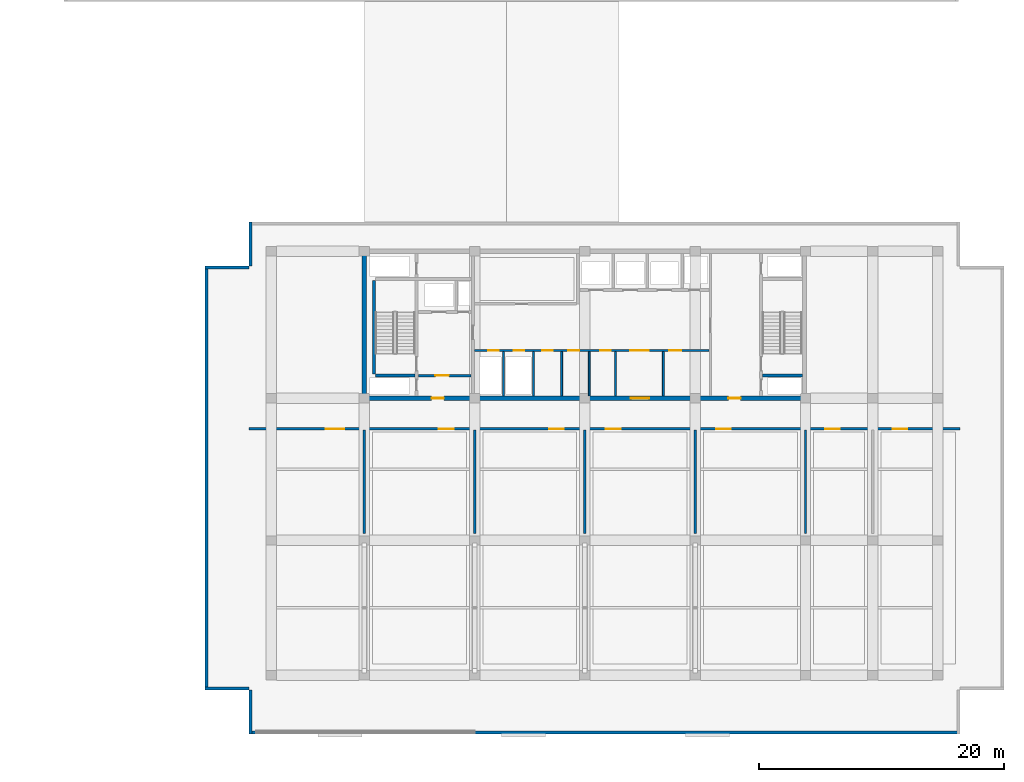
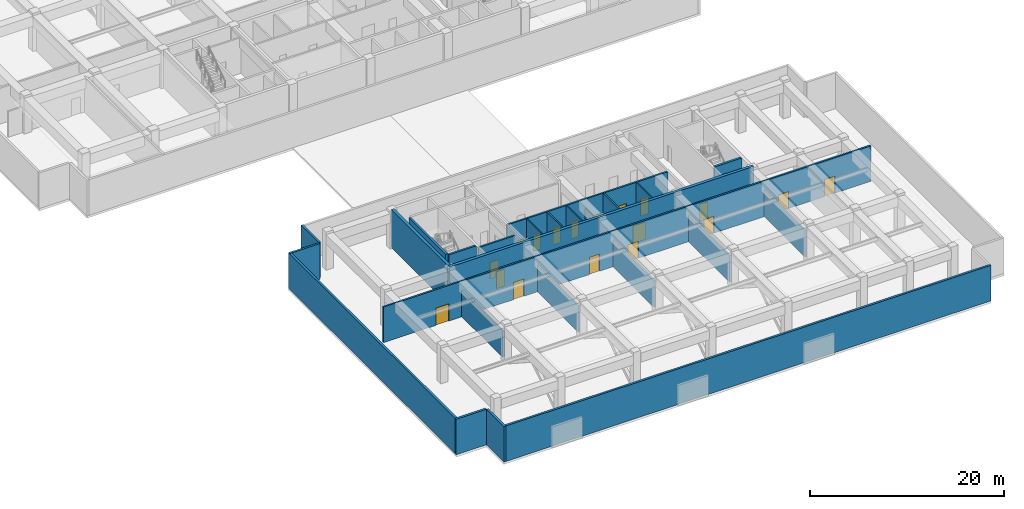
# One storey, part 7 of 22: 25 walls, 18 doors, 18 openings.
"""IFC4 building model written with IfcOpenShell, lengths in metres."""

import ifcopenshell
import ifcopenshell.guid

model = None  # the IFC model being written
_history = None  # IfcOwnerHistory: only IFC2X3 demands one
_inside = {}  # id of a spatial element -> (the spatial element, [elements in it])
_under = {}  # id of a project, library or spatial element -> (it, [spatial elements below it])
_declared = {}  # id of a project -> (the project, [libraries it declares])
_typed = {}  # id of a type object -> (the type object, [elements of that type])
_made_of = {}  # id of a material, layer set ... -> (it, [elements and type objects made of it])


def new_model(schema):
    """Start an empty IFC model of exactly this schema.

    Asked for "IFC4X3", IfcOpenShell would pick the latest addendum, in which some entities
    have other attributes; the version numbers below select the first issue.
    IFC2X3 requires an IfcOwnerHistory on every rooted entity: one is made here for all.
    """
    global model, _history
    if schema == "IFC4X3":
        model = ifcopenshell.file(schema_version=(4, 3, 0, 0))
    else:
        model = ifcopenshell.file(schema=schema)
    _inside.clear()
    _under.clear()
    _declared.clear()
    _typed.clear()
    _made_of.clear()
    _history = None
    if model.schema == "IFC2X3":
        org = make("IfcOrganization", Name="unknown")
        user = make(
            "IfcPersonAndOrganization",
            ThePerson=make("IfcPerson", FamilyName="unknown"),
            TheOrganization=org,
        )
        app = make(
            "IfcApplication",
            ApplicationDeveloper=org,
            Version="unknown",
            ApplicationFullName="unknown",
            ApplicationIdentifier="unknown",
        )
        _history = make(
            "IfcOwnerHistory",
            OwningUser=user,
            OwningApplication=app,
            ChangeAction="ADDED",
            CreationDate=0,
        )
    return model


def make(cls, **values):
    """One entity of the class cls with the attributes given. An attribute that is None is left unset."""
    return model.create_entity(
        cls, **{name: value for name, value in values.items() if value is not None}
    )


def rooted(cls, **values):
    """An entity with a GlobalId (a new one), such as an element, a storey or a relation."""
    return make(cls, GlobalId=ifcopenshell.guid.new(), OwnerHistory=_history, **values)


def si_unit(unit_type, name, prefix=None):
    """IfcSIUnit, for example si_unit("LENGTHUNIT", "METRE", prefix="MILLI")."""
    return make("IfcSIUnit", UnitType=unit_type, Prefix=prefix, Name=name)


def assignment(units):
    """IfcUnitAssignment: the units of a project."""
    return None if units is None else make("IfcUnitAssignment", Units=units)


def point(xyz):
    """IfcCartesianPoint."""
    return None if xyz is None else make("IfcCartesianPoint", Coordinates=xyz)


def direction(xyz):
    """IfcDirection."""
    return None if xyz is None else make("IfcDirection", DirectionRatios=xyz)


def frame(location, z_axis=None, x_axis=None):
    """IfcAxis2Placement3D, a coordinate frame: its origin and axes. An axis left out is left unset."""
    return make(
        "IfcAxis2Placement3D",
        Location=point(location),
        Axis=direction(z_axis),
        RefDirection=direction(x_axis),
    )


def frame_2d(location, x_axis=None):
    """IfcAxis2Placement2D, a coordinate frame in the plane: its origin and x axis."""
    return make(
        "IfcAxis2Placement2D", Location=point(location), RefDirection=direction(x_axis)
    )


def origin():
    """The frame at (0, 0, 0) with its axes left unset."""
    return frame((0.0, 0.0, 0.0))


def place(relative_to, where):
    """IfcLocalPlacement: puts the frame where relative to a parent placement (None: the world)."""
    return make(
        "IfcLocalPlacement", PlacementRelTo=relative_to, RelativePlacement=where
    )


def context(
    kind, dimensions, precision=None, world=None, true_north=None, identifier=None
):
    """IfcGeometricRepresentationContext, for example the 3D "Model" context."""
    return make(
        "IfcGeometricRepresentationContext",
        ContextIdentifier=identifier,
        ContextType=kind,
        CoordinateSpaceDimension=dimensions,
        Precision=precision,
        WorldCoordinateSystem=world,
        TrueNorth=true_north,
    )


def subcontext(parent, identifier, kind, view, scale=None):
    """IfcGeometricRepresentationSubContext, for example "Body" below "Model"."""
    return make(
        "IfcGeometricRepresentationSubContext",
        ContextIdentifier=identifier,
        ContextType=kind,
        ParentContext=parent,
        TargetScale=scale,
        TargetView=view,
    )


def project(units=None, contexts=None):
    """IfcProject with its units and contexts."""
    return rooted(
        "IfcProject",
        Name="project",
        RepresentationContexts=contexts,
        UnitsInContext=assignment(units),
    )


def spatial(cls, under=None, at=None, **own):
    """A site, building, storey or space (cls), placed at a placement, below another one or the project."""
    s = rooted(cls, ObjectPlacement=at, **own)
    if under is not None:
        _under.setdefault(under.id(), (under, []))[1].append(s)
    return s


def profile(cls, at=None, kind="AREA", **sizes):
    """A parametric profile (cls). Its sizes go by their IFC names, for example OverallWidth=200.0."""
    return make(cls, ProfileType=kind, Position=at, **sizes)


def rectangle(**sizes):
    """IfcRectangleProfileDef."""
    return profile("IfcRectangleProfileDef", **sizes)


def extrude(swept, where, along, depth):
    """IfcExtrudedAreaSolid: the profile swept, set in the frame where, extruded along a direction by depth."""
    return make(
        "IfcExtrudedAreaSolid",
        SweptArea=swept,
        Position=where,
        ExtrudedDirection=direction(along),
        Depth=depth,
    )


def shape(context_of_items, identifier, shape_type, items):
    """IfcShapeRepresentation: the items that make up one representation, for example the "Body"."""
    return make(
        "IfcShapeRepresentation",
        ContextOfItems=context_of_items,
        RepresentationIdentifier=identifier,
        RepresentationType=shape_type,
        Items=items,
    )


def material(Name=None, Category=None):
    """IfcMaterial."""
    return make("IfcMaterial", Name=Name, Category=Category)


def layer(
    of_material, thickness, ventilated=None, Name=None, Category=None, Priority=None
):
    """IfcMaterialLayer: one layer of a wall or slab, of a material (None: an air gap)."""
    return make(
        "IfcMaterialLayer",
        Material=of_material,
        LayerThickness=thickness,
        IsVentilated=ventilated,
        Name=Name,
        Category=Category,
        Priority=Priority,
    )


def layer_set(layers, Name=None):
    """IfcMaterialLayerSet."""
    return make("IfcMaterialLayerSet", MaterialLayers=layers, LayerSetName=Name)


def made_of(thing, what):
    """Note that an element or type object is made of a material, layer set ...; save() writes the relation."""
    if what is not None:
        _made_of.setdefault(what.id(), (what, []))[1].append(thing)
    return thing


def type_object(cls, material=None, **own):
    """A type object (cls), such as IfcWallType, which elements share."""
    return made_of(rooted(cls, **own), material)


def element(
    cls,
    number,
    at=None,
    inside=None,
    cuts=None,
    type_object=None,
    material=None,
    context=None,
    identifier="Body",
    shape_type=None,
    held_by="IfcProductDefinitionShape",
    body=None,
    shapes=None,
    **own,
):
    """One element of the class cls, such as IfcWall. Its Tag is "e" and its number.

    at: its placement. inside: the storey or other place that contains it. cuts: it is an
    opening in that element (IfcRelVoidsElement). A single representation is given by context,
    identifier, shape_type and body (its items); several are given by shapes. held_by: the class
    of the entity that holds the representations. save() writes the other relations.
    """
    e = rooted(cls, Tag="e%d" % number, ObjectPlacement=at, **own)
    if body is not None:
        shapes = [shape(context, identifier, shape_type, body)]
    if shapes is not None:
        e.Representation = make(held_by, Representations=shapes)
    if inside is not None:
        _inside.setdefault(inside.id(), (inside, []))[1].append(e)
    if cuts is not None:
        rooted(
            "IfcRelVoidsElement", RelatingBuildingElement=cuts, RelatedOpeningElement=e
        )
    if type_object is not None:
        _typed.setdefault(type_object.id(), (type_object, []))[1].append(e)
    return made_of(e, material)


def fill(opening, filler):
    """IfcRelFillsElement: the door or window that sits in an opening."""
    return rooted(
        "IfcRelFillsElement",
        RelatingOpeningElement=opening,
        RelatedBuildingElement=filler,
    )


def aggregate(whole, parts):
    """IfcRelAggregates: a whole, such as a stair, and the parts it consists of."""
    return rooted("IfcRelAggregates", RelatingObject=whole, RelatedObjects=parts)


def save(model, path):
    """Write the relations noted so far, then the file.

    IfcRelAggregates (storeys below a building ...), IfcRelContainedInSpatialStructure (elements
    in a storey), IfcRelDefinesByType, IfcRelAssociatesMaterial and IfcRelDeclares: one each for
    every whole, place, type object, material and project.
    """
    for whole, parts in _under.values():
        aggregate(whole, parts)
    for where, things in _inside.values():
        rooted(
            "IfcRelContainedInSpatialStructure",
            RelatedElements=things,
            RelatingStructure=where,
        )
    for kind, things in _typed.values():
        rooted("IfcRelDefinesByType", RelatedObjects=things, RelatingType=kind)
    for what, things in _made_of.values():
        rooted("IfcRelAssociatesMaterial", RelatedObjects=things, RelatingMaterial=what)
    for by, libraries in _declared.values():
        rooted("IfcRelDeclares", RelatingContext=by, RelatedDefinitions=libraries)
    model.write(path)


model = new_model("IFC4")

# Units and contexts
model_context = context("Model", 3, precision=1e-05, world=origin(), true_north=direction((0.0, 1.0)))
body_context = subcontext(model_context, "Body", "Model", "MODEL_VIEW")
ifc_project = project(units=[si_unit("LENGTHUNIT", "METRE"), si_unit("AREAUNIT", "SQUARE_METRE"), si_unit("VOLUMEUNIT", "CUBIC_METRE"), si_unit("PLANEANGLEUNIT", "RADIAN"), si_unit("MASSUNIT", "GRAM", prefix="KILO")], contexts=[model_context])

# Site, building, storey
site_placement = place(None, origin())
site = spatial("IfcSite", under=ifc_project, at=site_placement, CompositionType="ELEMENT")
building_placement = place(site_placement, origin())
building = spatial("IfcBuilding", under=site, at=building_placement, Name="Korimba Cascade Residences", CompositionType="ELEMENT")
storey_placement = place(building_placement, frame((0.0, 0.0, 157.300048828125)))
storey = spatial("IfcBuildingStorey", under=building, at=storey_placement, Name="L45", CompositionType="ELEMENT", Elevation=157.300048828125)

# Walls
ifc_material_1 = material(Name="Precast concrete C40/50", Category="concrete")
ifc_layer_1 = layer(ifc_material_1, 0.25)
ifc_layer_set_1 = layer_set([ifc_layer_1], Name="Precast concrete C40/50")
wall_type_1 = type_object("IfcWallType", Name="EW-PLNT-250", PredefinedType="SHEAR", material=ifc_layer_set_1)
wall_1_placement = place(storey_placement, frame((72.699951171875, -8.875, 0.0), z_axis=(0.0, 0.0, 1.0), x_axis=(1.0, 0.0, 0.0)))
element("IfcWall", 1, at=wall_1_placement, inside=storey, type_object=wall_type_1, Name="L45 T2 Perimeter Stone Wall E00", PredefinedType="SHEAR", context=body_context, shape_type="SweptSolid", body=[
    extrude(rectangle(XDim=58.0, YDim=0.25, at=frame_2d((29.0, 0.0))), origin(), (0.0, 0.0, 1.0), 4.47998046875),
])
wall_2_placement = place(storey_placement, frame((72.824951171875, 32.800048828125, 0.0), z_axis=(0.0, 0.0, 1.0), x_axis=(0.0, -1.0, 0.0)))
element("IfcWall", 2, at=wall_2_placement, inside=storey, type_object=wall_type_1, Name="L45 T2 Perimeter Stone Wall E07", PredefinedType="SHEAR", context=body_context, shape_type="SweptSolid", body=[
    extrude(rectangle(XDim=3.60009765625, YDim=0.25, at=frame_2d((1.800048828125, 0.0))), origin(), (0.0, 0.0, 1.0), 4.47998046875),
])
wall_3_placement = place(storey_placement, frame((72.699951171875, 29.074951171875, 0.0), z_axis=(0.0, 0.0, 1.0), x_axis=(-1.0, 0.0, 0.0)))
element("IfcWall", 3, at=wall_3_placement, inside=storey, type_object=wall_type_1, Name="L45 T2 Perimeter Stone Wall E08", PredefinedType="SHEAR", context=body_context, shape_type="SweptSolid", body=[
    extrude(rectangle(XDim=3.599853515625, YDim=0.25, at=frame_2d((1.7998046875, 0.0))), origin(), (0.0, 0.0, 1.0), 4.47998046875),
])
wall_4_placement = place(storey_placement, frame((69.22509765625, 29.199951171875, 0.0), z_axis=(0.0, 0.0, 1.0), x_axis=(0.0, -1.0, 0.0)))
element("IfcWall", 4, at=wall_4_placement, inside=storey, type_object=wall_type_1, Name="L45 T2 Perimeter Stone Wall E09", PredefinedType="SHEAR", context=body_context, shape_type="SweptSolid", body=[
    extrude(rectangle(XDim=34.599853515625, YDim=0.25, at=frame_2d((17.2998046875, 0.0))), origin(), (0.0, 0.0, 1.0), 4.47998046875),
])
wall_5_placement = place(storey_placement, frame((69.10009765625, -5.27490234375, 0.0), z_axis=(0.0, 0.0, 1.0), x_axis=(1.0, 0.0, 0.0)))
element("IfcWall", 5, at=wall_5_placement, inside=storey, type_object=wall_type_1, Name="L45 T2 Perimeter Stone Wall E10", PredefinedType="SHEAR", context=body_context, shape_type="SweptSolid", body=[
    extrude(rectangle(XDim=3.599853515625, YDim=0.25, at=frame_2d((1.7998046875, 0.0))), origin(), (0.0, 0.0, 1.0), 4.47998046875),
])
wall_6_placement = place(storey_placement, frame((72.824951171875, -5.39990234375, 0.0), z_axis=(0.0, 0.0, 1.0), x_axis=(0.0, -1.0, 0.0)))
element("IfcWall", 6, at=wall_6_placement, inside=storey, type_object=wall_type_1, Name="L45 T2 Perimeter Stone Wall E11", PredefinedType="SHEAR", context=body_context, shape_type="SweptSolid", body=[
    extrude(rectangle(XDim=3.60009765625, YDim=0.25, at=frame_2d((1.800048828125, 0.0))), origin(), (0.0, 0.0, 1.0), 4.47998046875),
])
ifc_material_2 = material(Name="Concrete C65/80", Category="concrete")
ifc_layer_2 = layer(ifc_material_2, 0.35009765625)
ifc_layer_set_2 = layer_set([ifc_layer_2], Name="Concrete C65/80")
wall_type_2 = type_object("IfcWallType", Name="WAL-CORE-350", PredefinedType="SHEAR", material=ifc_layer_set_2)
wall_7_placement = place(storey_placement, frame((82.10009765625, 18.574951171875, 0.0), z_axis=(0.0, 0.0, 1.0), x_axis=(0.0, 1.0, 0.0)))
element("IfcWall", 7, at=wall_7_placement, inside=storey, type_object=wall_type_2, Name="L45 Core Shear Wall CW-L45-T2-W", PredefinedType="SHEAR", context=body_context, shape_type="SweptSolid", body=[
    extrude(rectangle(XDim=11.650146484375, YDim=0.35009765625, at=frame_2d((5.8251953125, 0.0))), origin(), (0.0, 0.0, 1.0), 4.800048828125),
])

# Wall, openings, doors
wall_8_placement = place(storey_placement, frame((81.925048828125, 18.39990234375, 0.0), z_axis=(0.0, 0.0, 1.0), x_axis=(1.0, 0.0, 0.0)))
wall_8 = element("IfcWall", 8, at=wall_8_placement, inside=storey, type_object=wall_type_2, Name="L45 Core Shear Wall CW-L45-T2-S", PredefinedType="SHEAR", context=body_context, shape_type="SweptSolid", body=[
    extrude(rectangle(XDim=36.264892578125, YDim=0.35009765625, at=frame_2d((18.13232421875, 0.0))), origin(), (0.0, 0.0, 1.0), 4.800048828125),
])
opening_1_placement = place(wall_8_placement, frame((5.675048828125, 0.0, 0.0)))
opening_1 = element("IfcOpeningElement", 9, at=opening_1_placement, cuts=wall_8, Name="Opening D-FD5", PredefinedType="OPENING", context=body_context, shape_type="SweptSolid", body=[
    extrude(rectangle(XDim=1.0, YDim=2.14990234375, at=frame_2d((0.5, 1.074951171875))), frame((0.0, 0.18505859375, 0.0), z_axis=(0.0, -1.0, 0.0), x_axis=(1.0, 0.0, 0.0)), (0.0, 0.0, 1.0), 0.3701171875),
])
opening_2_placement = place(wall_8_placement, frame((21.925048828125, 0.0, 0.0)))
opening_2 = element("IfcOpeningElement", 10, at=opening_2_placement, cuts=wall_8, Name="Opening D-FD8", PredefinedType="OPENING", context=body_context, shape_type="SweptSolid", body=[
    extrude(rectangle(XDim=1.5, YDim=2.199951171875, at=frame_2d((0.75, 1.10009765625))), frame((0.0, 0.18505859375, 0.0), z_axis=(0.0, -1.0, 0.0), x_axis=(1.0, 0.0, 0.0)), (0.0, 0.0, 1.0), 0.3701171875),
])
opening_3_placement = place(wall_8_placement, frame((29.875, 0.0, 0.0)))
opening_3 = element("IfcOpeningElement", 11, at=opening_3_placement, cuts=wall_8, Name="Opening D-FD5", PredefinedType="OPENING", context=body_context, shape_type="SweptSolid", body=[
    extrude(rectangle(XDim=1.0, YDim=2.14990234375, at=frame_2d((0.5, 1.074951171875))), frame((0.0, 0.18505859375, 0.0), z_axis=(0.0, -1.0, 0.0), x_axis=(1.0, 0.0, 0.0)), (0.0, 0.0, 1.0), 0.3701171875),
])
ifc_material_3 = material(Name="Fire-Rated Acoustic Timber Vestibule Door", Category="wood")
door_type_1 = type_object("IfcDoorType", Name="DR-FD90-1000", OperationType="NOTDEFINED", PredefinedType="DOOR", material=ifc_material_3)
door_1_placement = place(opening_1_placement, origin())
door_1 = element("IfcDoor", 12, at=door_1_placement, inside=storey, type_object=door_type_1, Name="L45 T2 West Core Vestibule Fire Door", OperationType="SINGLE_SWING_LEFT", OverallHeight=2.14990234375, OverallWidth=1.0, PredefinedType="DOOR", context=body_context, shape_type="SweptSolid", body=[
    extrude(rectangle(XDim=1.0, YDim=2.14990234375, at=frame_2d((0.5, 1.074951171875))), frame((0.0, 0.02490234375, 0.0), z_axis=(0.0, -1.0, 0.0), x_axis=(1.0, 0.0, 0.0)), (0.0, 0.0, 1.0), 0.050048828125),
])
fill(opening_1, door_1)
door_2_placement = place(opening_3_placement, origin())
door_2 = element("IfcDoor", 13, at=door_2_placement, inside=storey, type_object=door_type_1, Name="L45 T2 East Stair Vestibule Fire Door", OperationType="SINGLE_SWING_RIGHT", OverallHeight=2.14990234375, OverallWidth=1.0, PredefinedType="DOOR", context=body_context, shape_type="SweptSolid", body=[
    extrude(rectangle(XDim=1.0, YDim=2.14990234375, at=frame_2d((0.5, 1.074951171875))), frame((0.0, 0.02490234375, 0.0), z_axis=(0.0, -1.0, 0.0), x_axis=(1.0, 0.0, 0.0)), (0.0, 0.0, 1.0), 0.050048828125),
])
fill(opening_3, door_2)
ifc_material_4 = material(Name="Fire-Rated Glazed Lift Lobby Double Door", Category="glass")
door_type_2 = type_object("IfcDoorType", Name="DR-FD90-1500", OperationType="NOTDEFINED", PredefinedType="DOOR", material=ifc_material_4)
door_3_placement = place(opening_2_placement, origin())
door_3 = element("IfcDoor", 14, at=door_3_placement, inside=storey, type_object=door_type_2, Name="L45 T2 Lift Lobby Fire Door", OperationType="DOUBLE_DOOR_SINGLE_SWING", OverallHeight=2.199951171875, OverallWidth=1.5, PredefinedType="DOOR", context=body_context, shape_type="SweptSolid", body=[
    extrude(rectangle(XDim=1.5, YDim=2.199951171875, at=frame_2d((0.75, 1.10009765625))), frame((0.0, 0.02490234375, 0.0), z_axis=(0.0, -1.0, 0.0), x_axis=(1.0, 0.0, 0.0)), (0.0, 0.0, 1.0), 0.050048828125),
])
fill(opening_2, door_3)

# Walls
ifc_material_5 = material(Name="Insulated Acoustic Stud Partition", Category="gypsum")
ifc_layer_3 = layer(ifc_material_5, 0.14990234375)
ifc_layer_set_3 = layer_set([ifc_layer_3], Name="Insulated Acoustic Stud Partition")
wall_type_3 = type_object("IfcWallType", Name="WAL-PART-150", PredefinedType="PARTITIONING", material=ifc_layer_set_3)
for number, where, z_axis, x_axis, name in (
    (15, (93.449951171875, 18.60009765625, 0.0), (0.0, 0.0, 1.0), (0.0, 1.0, 0.0), "L45 Partition Wall CW-L45-T2-ERDIV"),
    (16, (95.89990234375, 18.60009765625, 0.0), (0.0, 0.0, 1.0), (0.0, 1.0, 0.0), "L45 Partition Wall CW-L45-T2-PRDIV"),
    (17, (98.199951171875, 18.60009765625, 0.0), (0.0, 0.0, 1.0), (0.0, 1.0, 0.0), "L45 Partition Wall CW-L45-T2-CA1W1"),
):
    element("IfcWall", number, at=place(storey_placement, frame(where, z_axis=z_axis, x_axis=x_axis)), inside=storey, type_object=wall_type_3, Name=name, PredefinedType="PARTITIONING", context=body_context, shape_type="SweptSolid", body=[
        extrude(rectangle(XDim=3.599853515625, YDim=0.14990234375, at=frame_2d((1.7998046875, 0.0))), origin(), (0.0, 0.0, 1.0), 4.47998046875),
    ])
wall_9_placement = place(storey_placement, frame((100.449951171875, 18.60009765625, 0.0), z_axis=(0.0, 0.0, 1.0), x_axis=(0.0, 1.0, 0.0)))
element("IfcWall", 18, at=wall_9_placement, inside=storey, type_object=wall_type_3, Name="L45 Partition Wall CW-L45-T2-CA1W2", PredefinedType="PARTITIONING", context=body_context, shape_type="SweptSolid", body=[
    extrude(rectangle(XDim=3.599853515625, YDim=0.14990234375, at=frame_2d((1.7998046875, 0.0))), origin(), (0.0, 0.0, 1.0), 3.329833984375),
])
for number, where, z_axis, x_axis, name in (
    (19, (102.60009765625, 18.60009765625, 0.0), (0.0, 0.0, 1.0), (0.0, 1.0, 0.0), "L45 Partition Wall CW-L45-T2-THW"),
    (20, (106.5, 18.60009765625, 0.0), (0.0, 0.0, 1.0), (0.0, 1.0, 0.0), "L45 Partition Wall CW-L45-T2-THE"),
):
    element("IfcWall", number, at=place(storey_placement, frame(where, z_axis=z_axis, x_axis=x_axis)), inside=storey, type_object=wall_type_3, Name=name, PredefinedType="PARTITIONING", context=body_context, shape_type="SweptSolid", body=[
        extrude(rectangle(XDim=3.599853515625, YDim=0.14990234375, at=frame_2d((1.7998046875, 0.0))), origin(), (0.0, 0.0, 1.0), 4.47998046875),
    ])

# Wall, opening, door
ifc_material_6 = material(Name="Concrete C40/50", Category="concrete")
ifc_layer_4 = layer(ifc_material_6, 0.199951171875)
ifc_layer_set_4 = layer_set([ifc_layer_4], Name="Concrete C40/50")
wall_type_4 = type_object("IfcWallType", Name="WAL-PART-200", PredefinedType="PARTITIONING", material=ifc_layer_set_4)
wall_10_placement = place(storey_placement, frame((86.5, 20.25, 0.0), z_axis=(0.0, 0.0, 1.0), x_axis=(1.0, 0.0, 0.0)))
wall_10 = element("IfcWall", 21, at=wall_10_placement, inside=storey, type_object=wall_type_4, Name="L45 Partition Wall CW-L45-T2-FFLS", PredefinedType="PARTITIONING", context=body_context, shape_type="SweptSolid", body=[
    extrude(rectangle(XDim=4.320068359375, YDim=0.199951171875, at=frame_2d((2.16015625, 0.0))), origin(), (0.0, 0.0, 1.0), 4.47998046875),
])
opening_4_placement = place(wall_10_placement, frame((1.39990234375, 0.0, 0.0)))
opening_4 = element("IfcOpeningElement", 22, at=opening_4_placement, cuts=wall_10, Name="Opening D-FD1", PredefinedType="OPENING", context=body_context, shape_type="SweptSolid", body=[
    extrude(rectangle(XDim=1.10009765625, YDim=2.10009765625, at=frame_2d((0.550048828125, 1.050048828125))), frame((0.0, 0.10986328125, 0.0), z_axis=(0.0, -1.0, 0.0), x_axis=(1.0, 0.0, 0.0)), (0.0, 0.0, 1.0), 0.219970703125),
])
ifc_material_7 = material(Name="Fire-Rated Steel Core Door", Category="steel")
door_type_3 = type_object("IfcDoorType", Name="DR-FD120-1100", OperationType="NOTDEFINED", PredefinedType="DOOR", material=ifc_material_7)
door_4_placement = place(opening_4_placement, origin())
door_4 = element("IfcDoor", 23, at=door_4_placement, inside=storey, type_object=door_type_3, Name="L45 T2 Firefighting Lobby Door", OperationType="SINGLE_SWING_LEFT", OverallHeight=2.10009765625, OverallWidth=1.10009765625, PredefinedType="DOOR", context=body_context, shape_type="SweptSolid", body=[
    extrude(rectangle(XDim=1.10009765625, YDim=2.10009765625, at=frame_2d((0.550048828125, 1.050048828125))), frame((0.0, 0.02490234375, 0.0), z_axis=(0.0, -1.0, 0.0), x_axis=(1.0, 0.0, 0.0)), (0.0, 0.0, 1.0), 0.050048828125),
])
fill(opening_4, door_4)

# Wall, openings, doors
wall_11_placement = place(storey_placement, frame((91.080078125, 22.300048828125, 0.0), z_axis=(0.0, 0.0, 1.0), x_axis=(1.0, 0.0, 0.0)))
wall_11 = element("IfcWall", 24, at=wall_11_placement, inside=storey, type_object=wall_type_4, Name="L45 Partition Wall CW-L45-T2-SRVROW", PredefinedType="PARTITIONING", context=body_context, shape_type="SweptSolid", body=[
    extrude(rectangle(XDim=19.139892578125, YDim=0.199951171875, at=frame_2d((9.56982421875, 0.0))), origin(), (0.0, 0.0, 1.0), 4.47998046875),
])
opening_5_placement = place(wall_11_placement, frame((1.14990234375, 0.0, 0.0)))
opening_5 = element("IfcOpeningElement", 25, at=opening_5_placement, cuts=wall_11, Name="Opening D-RS1", PredefinedType="OPENING", context=body_context, shape_type="SweptSolid", body=[
    extrude(rectangle(XDim=0.85009765625, YDim=2.050048828125, at=frame_2d((0.425048828125, 1.02490234375))), frame((0.0, 0.10986328125, 0.0), z_axis=(0.0, -1.0, 0.0), x_axis=(1.0, 0.0, 0.0)), (0.0, 0.0, 1.0), 0.219970703125),
])
opening_6_placement = place(wall_11_placement, frame((3.199951171875, 0.0, 0.0)))
opening_6 = element("IfcOpeningElement", 26, at=opening_6_placement, cuts=wall_11, Name="Opening D-RS1", PredefinedType="OPENING", context=body_context, shape_type="SweptSolid", body=[
    extrude(rectangle(XDim=0.85009765625, YDim=2.050048828125, at=frame_2d((0.425048828125, 1.02490234375))), frame((0.0, 0.10986328125, 0.0), z_axis=(0.0, -1.0, 0.0), x_axis=(1.0, 0.0, 0.0)), (0.0, 0.0, 1.0), 0.219970703125),
])
opening_7_placement = place(wall_11_placement, frame((12.719970703125, 0.0, 0.0)))
opening_7 = element("IfcOpeningElement", 27, at=opening_7_placement, cuts=wall_11, Name="Opening D-FD8", PredefinedType="OPENING", context=body_context, shape_type="SweptSolid", body=[
    extrude(rectangle(XDim=1.5, YDim=2.199951171875, at=frame_2d((0.75, 1.10009765625))), frame((0.0, 0.10986328125, 0.0), z_axis=(0.0, -1.0, 0.0), x_axis=(1.0, 0.0, 0.0)), (0.0, 0.0, 1.0), 0.219970703125),
])
opening_8_placement = place(wall_11_placement, frame((5.52001953125, 0.0, 0.0)))
opening_8 = element("IfcOpeningElement", 28, at=opening_8_placement, cuts=wall_11, Name="Opening D-IN2", PredefinedType="OPENING", context=body_context, shape_type="SweptSolid", body=[
    extrude(rectangle(XDim=0.8798828125, YDim=2.06005859375, at=frame_2d((0.43994140625, 1.030029296875))), frame((0.0, 0.10986328125, 0.0), z_axis=(0.0, -1.0, 0.0), x_axis=(1.0, 0.0, 0.0)), (0.0, 0.0, 1.0), 0.219970703125),
])
opening_9_placement = place(wall_11_placement, frame((7.669921875, 0.0, 0.0)))
opening_9 = element("IfcOpeningElement", 29, at=opening_9_placement, cuts=wall_11, Name="Opening D-IN2", PredefinedType="OPENING", context=body_context, shape_type="SweptSolid", body=[
    extrude(rectangle(XDim=0.8798828125, YDim=2.06005859375, at=frame_2d((0.43994140625, 1.030029296875))), frame((0.0, 0.10986328125, 0.0), z_axis=(0.0, -1.0, 0.0), x_axis=(1.0, 0.0, 0.0)), (0.0, 0.0, 1.0), 0.219970703125),
])
opening_10_placement = place(wall_11_placement, frame((10.27001953125, 0.0, 0.0)))
opening_10 = element("IfcOpeningElement", 30, at=opening_10_placement, cuts=wall_11, Name="Opening D-RS1", PredefinedType="OPENING", context=body_context, shape_type="SweptSolid", body=[
    extrude(rectangle(XDim=0.85009765625, YDim=2.050048828125, at=frame_2d((0.425048828125, 1.02490234375))), frame((0.0, 0.10986328125, 0.0), z_axis=(0.0, -1.0, 0.0), x_axis=(1.0, 0.0, 0.0)), (0.0, 0.0, 1.0), 0.219970703125),
])
opening_11_placement = place(wall_11_placement, frame((15.919921875, 0.0, 0.0)))
opening_11 = element("IfcOpeningElement", 31, at=opening_11_placement, cuts=wall_11, Name="Opening D-AC1", PredefinedType="OPENING", context=body_context, shape_type="SweptSolid", body=[
    extrude(rectangle(XDim=0.9599609375, YDim=2.10009765625, at=frame_2d((0.47998046875, 1.050048828125))), frame((0.0, 0.10986328125, 0.0), z_axis=(0.0, -1.0, 0.0), x_axis=(1.0, 0.0, 0.0)), (0.0, 0.0, 1.0), 0.219970703125),
])
ifc_material_8 = material(Name="Accessible Acoustic Timber WC Door", Category="wood")
door_type_4 = type_object("IfcDoorType", Name="DR-ACC-950", OperationType="NOTDEFINED", PredefinedType="DOOR", material=ifc_material_8)
door_5_placement = place(opening_11_placement, origin())
door_5 = element("IfcDoor", 32, at=door_5_placement, inside=storey, type_object=door_type_4, Name="L45 T2 Accessible Staff WC Door", OperationType="SINGLE_SWING_RIGHT", OverallHeight=2.10009765625, OverallWidth=0.9599609375, PredefinedType="DOOR", context=body_context, shape_type="SweptSolid", body=[
    extrude(rectangle(XDim=0.9599609375, YDim=2.10009765625, at=frame_2d((0.47998046875, 1.050048828125))), frame((0.0, 0.02490234375, 0.0), z_axis=(0.0, -1.0, 0.0), x_axis=(1.0, 0.0, 0.0)), (0.0, 0.0, 1.0), 0.050048828125),
])
fill(opening_11, door_5)
ifc_material_9 = material(Name="Fire-Rated Steel Riser Access Door", Category="steel")
door_type_5 = type_object("IfcDoorType", Name="DR-FD60-850", OperationType="NOTDEFINED", PredefinedType="DOOR", material=ifc_material_9)
door_6_placement = place(opening_5_placement, origin())
door_6 = element("IfcDoor", 33, at=door_6_placement, inside=storey, type_object=door_type_5, Name="L45 T2 Electrical Riser Door", OperationType="SINGLE_SWING_LEFT", OverallHeight=2.050048828125, OverallWidth=0.85009765625, PredefinedType="DOOR", context=body_context, shape_type="SweptSolid", body=[
    extrude(rectangle(XDim=0.85009765625, YDim=2.050048828125, at=frame_2d((0.425048828125, 1.02490234375))), frame((0.0, 0.02490234375, 0.0), z_axis=(0.0, -1.0, 0.0), x_axis=(1.0, 0.0, 0.0)), (0.0, 0.0, 1.0), 0.050048828125),
])
fill(opening_5, door_6)
door_7_placement = place(opening_6_placement, origin())
door_7 = element("IfcDoor", 34, at=door_7_placement, inside=storey, type_object=door_type_5, Name="L45 T2 Plumbing Riser Door", OperationType="SINGLE_SWING_RIGHT", OverallHeight=2.050048828125, OverallWidth=0.85009765625, PredefinedType="DOOR", context=body_context, shape_type="SweptSolid", body=[
    extrude(rectangle(XDim=0.85009765625, YDim=2.050048828125, at=frame_2d((0.425048828125, 1.02490234375))), frame((0.0, 0.02490234375, 0.0), z_axis=(0.0, -1.0, 0.0), x_axis=(1.0, 0.0, 0.0)), (0.0, 0.0, 1.0), 0.050048828125),
])
fill(opening_6, door_7)
door_8_placement = place(opening_10_placement, origin())
door_8 = element("IfcDoor", 35, at=door_8_placement, inside=storey, type_object=door_type_5, Name="L45 T2 IT Room Door", OperationType="SINGLE_SWING_LEFT", OverallHeight=2.050048828125, OverallWidth=0.85009765625, PredefinedType="DOOR", context=body_context, shape_type="SweptSolid", body=[
    extrude(rectangle(XDim=0.85009765625, YDim=2.050048828125, at=frame_2d((0.425048828125, 1.02490234375))), frame((0.0, 0.02490234375, 0.0), z_axis=(0.0, -1.0, 0.0), x_axis=(1.0, 0.0, 0.0)), (0.0, 0.0, 1.0), 0.050048828125),
])
fill(opening_10, door_8)
door_9_placement = place(opening_7_placement, origin())
door_9 = element("IfcDoor", 36, at=door_9_placement, inside=storey, type_object=door_type_2, Name="L45 T2 Lift Lobby Foyer Door", OperationType="DOUBLE_DOOR_SINGLE_SWING", OverallHeight=2.199951171875, OverallWidth=1.5, PredefinedType="DOOR", context=body_context, shape_type="SweptSolid", body=[
    extrude(rectangle(XDim=1.5, YDim=2.199951171875, at=frame_2d((0.75, 1.10009765625))), frame((0.0, 0.02490234375, 0.0), z_axis=(0.0, -1.0, 0.0), x_axis=(1.0, 0.0, 0.0)), (0.0, 0.0, 1.0), 0.050048828125),
])
fill(opening_7, door_9)
ifc_material_10 = material(Name="Acoustic Timber Bedroom Door", Category="wood")
door_type_6 = type_object("IfcDoorType", Name="DR-INT-880", OperationType="NOTDEFINED", PredefinedType="DOOR", material=ifc_material_10)
door_10_placement = place(opening_8_placement, origin())
door_10 = element("IfcDoor", 37, at=door_10_placement, inside=storey, type_object=door_type_6, Name="L45 T2 Cleaners Door", OperationType="SINGLE_SWING_LEFT", OverallHeight=2.06005859375, OverallWidth=0.8798828125, PredefinedType="DOOR", context=body_context, shape_type="SweptSolid", body=[
    extrude(rectangle(XDim=0.8798828125, YDim=2.06005859375, at=frame_2d((0.43994140625, 1.030029296875))), frame((0.0, 0.02490234375, 0.0), z_axis=(0.0, -1.0, 0.0), x_axis=(1.0, 0.0, 0.0)), (0.0, 0.0, 1.0), 0.050048828125),
])
fill(opening_8, door_10)
door_11_placement = place(opening_9_placement, origin())
door_11 = element("IfcDoor", 38, at=door_11_placement, inside=storey, type_object=door_type_6, Name="L45 T2 Pantry Door", OperationType="SINGLE_SWING_RIGHT", OverallHeight=2.06005859375, OverallWidth=0.8798828125, PredefinedType="DOOR", context=body_context, shape_type="SweptSolid", body=[
    extrude(rectangle(XDim=0.8798828125, YDim=2.06005859375, at=frame_2d((0.43994140625, 1.030029296875))), frame((0.0, 0.02490234375, 0.0), z_axis=(0.0, -1.0, 0.0), x_axis=(1.0, 0.0, 0.0)), (0.0, 0.0, 1.0), 0.050048828125),
])
fill(opening_9, door_11)

# Walls
for number, where, z_axis, x_axis, name in (
    (39, (82.10009765625, 7.35009765625, 0.0), (0.0, 0.0, 1.0), (0.0, 1.0, 0.0), "L45 Partition Wall WAL-L45-T2-PD1"),
    (40, (91.10009765625, 7.35009765625, 0.0), (0.0, 0.0, 1.0), (0.0, 1.0, 0.0), "L45 Partition Wall WAL-L45-T2-PD2"),
    (41, (100.10009765625, 7.35009765625, 0.0), (0.0, 0.0, 1.0), (0.0, 1.0, 0.0), "L45 Partition Wall WAL-L45-T2-PD3"),
    (42, (109.10009765625, 7.35009765625, 0.0), (0.0, 0.0, 1.0), (0.0, 1.0, 0.0), "L45 Partition Wall WAL-L45-T2-PD4"),
    (43, (118.10009765625, 7.35009765625, 0.0), (0.0, 0.0, 1.0), (0.0, 1.0, 0.0), "L45 Partition Wall WAL-L45-T2-PD5"),
):
    element("IfcWall", number, at=place(storey_placement, frame(where, z_axis=z_axis, x_axis=x_axis)), inside=storey, type_object=wall_type_4, Name=name, PredefinedType="PARTITIONING", context=body_context, shape_type="SweptSolid", body=[
        extrude(rectangle(XDim=8.449951171875, YDim=0.199951171875, at=frame_2d((4.22509765625, 0.0))), origin(), (0.0, 0.0, 1.0), 3.329833984375),
    ])

# Wall, openings, doors
wall_12_placement = place(storey_placement, frame((72.699951171875, 15.89990234375, 0.0), z_axis=(0.0, 0.0, 1.0), x_axis=(1.0, 0.0, 0.0)))
wall_12 = element("IfcWall", 44, at=wall_12_placement, inside=storey, type_object=wall_type_4, Name="L45 Partition Wall WAL-L45-T2-PCORS", PredefinedType="PARTITIONING", context=body_context, shape_type="SweptSolid", body=[
    extrude(rectangle(XDim=58.0, YDim=0.199951171875, at=frame_2d((29.0, 0.0))), origin(), (0.0, 0.0, 1.0), 4.47998046875),
])
opening_12_placement = place(wall_12_placement, frame((6.261962890625, 0.0, 0.0)))
opening_12 = element("IfcOpeningElement", 45, at=opening_12_placement, cuts=wall_12, Name="Opening D-FD4", PredefinedType="OPENING", context=body_context, shape_type="SweptSolid", body=[
    extrude(rectangle(XDim=1.5, YDim=2.179931640625, at=frame_2d((0.75, 1.08984375))), frame((0.0, 0.10986328125, 0.0), z_axis=(0.0, -1.0, 0.0), x_axis=(1.0, 0.0, 0.0)), (0.0, 0.0, 1.0), 0.219970703125),
])
opening_13_placement = place(wall_12_placement, frame((15.48876953125, 0.0, 0.0)))
opening_13 = element("IfcOpeningElement", 46, at=opening_13_placement, cuts=wall_12, Name="Opening D-FD3", PredefinedType="OPENING", context=body_context, shape_type="SweptSolid", body=[
    extrude(rectangle(XDim=1.199951171875, YDim=2.14990234375, at=frame_2d((0.60009765625, 1.074951171875))), frame((0.0, 0.10986328125, 0.0), z_axis=(0.0, -1.0, 0.0), x_axis=(1.0, 0.0, 0.0)), (0.0, 0.0, 1.0), 0.219970703125),
])
opening_14_placement = place(wall_12_placement, frame((24.48876953125, 0.0, 0.0)))
opening_14 = element("IfcOpeningElement", 47, at=opening_14_placement, cuts=wall_12, Name="Opening D-FD3", PredefinedType="OPENING", context=body_context, shape_type="SweptSolid", body=[
    extrude(rectangle(XDim=1.199951171875, YDim=2.14990234375, at=frame_2d((0.60009765625, 1.074951171875))), frame((0.0, 0.10986328125, 0.0), z_axis=(0.0, -1.0, 0.0), x_axis=(1.0, 0.0, 0.0)), (0.0, 0.0, 1.0), 0.219970703125),
])
opening_15_placement = place(wall_12_placement, frame((29.111083984375, 0.0, 0.0)))
opening_15 = element("IfcOpeningElement", 48, at=opening_15_placement, cuts=wall_12, Name="Opening D-FD3", PredefinedType="OPENING", context=body_context, shape_type="SweptSolid", body=[
    extrude(rectangle(XDim=1.199951171875, YDim=2.14990234375, at=frame_2d((0.60009765625, 1.074951171875))), frame((0.0, 0.10986328125, 0.0), z_axis=(0.0, -1.0, 0.0), x_axis=(1.0, 0.0, 0.0)), (0.0, 0.0, 1.0), 0.219970703125),
])
opening_16_placement = place(wall_12_placement, frame((38.111083984375, 0.0, 0.0)))
opening_16 = element("IfcOpeningElement", 49, at=opening_16_placement, cuts=wall_12, Name="Opening D-FD3", PredefinedType="OPENING", context=body_context, shape_type="SweptSolid", body=[
    extrude(rectangle(XDim=1.199951171875, YDim=2.14990234375, at=frame_2d((0.60009765625, 1.074951171875))), frame((0.0, 0.10986328125, 0.0), z_axis=(0.0, -1.0, 0.0), x_axis=(1.0, 0.0, 0.0)), (0.0, 0.0, 1.0), 0.219970703125),
])
opening_17_placement = place(wall_12_placement, frame((47.007568359375, 0.0, 0.0)))
opening_17 = element("IfcOpeningElement", 50, at=opening_17_placement, cuts=wall_12, Name="Opening D-FD3", PredefinedType="OPENING", context=body_context, shape_type="SweptSolid", body=[
    extrude(rectangle(XDim=1.199951171875, YDim=2.14990234375, at=frame_2d((0.60009765625, 1.074951171875))), frame((0.0, 0.10986328125, 0.0), z_axis=(0.0, -1.0, 0.0), x_axis=(1.0, 0.0, 0.0)), (0.0, 0.0, 1.0), 0.219970703125),
])
opening_18_placement = place(wall_12_placement, frame((52.505126953125, 0.0, 0.0)))
opening_18 = element("IfcOpeningElement", 51, at=opening_18_placement, cuts=wall_12, Name="Opening D-FD3", PredefinedType="OPENING", context=body_context, shape_type="SweptSolid", body=[
    extrude(rectangle(XDim=1.199951171875, YDim=2.14990234375, at=frame_2d((0.60009765625, 1.074951171875))), frame((0.0, 0.10986328125, 0.0), z_axis=(0.0, -1.0, 0.0), x_axis=(1.0, 0.0, 0.0)), (0.0, 0.0, 1.0), 0.219970703125),
])
ifc_material_11 = material(Name="Fire-Rated Steel Plant Door", Category="steel")
door_type_7 = type_object("IfcDoorType", Name="DR-FD120-1200", OperationType="NOTDEFINED", PredefinedType="DOOR", material=ifc_material_11)
door_12_placement = place(opening_13_placement, origin())
door_12 = element("IfcDoor", 52, at=door_12_placement, inside=storey, type_object=door_type_7, Name="L45 Tower 2 Chiller Plant Room Door", OperationType="SINGLE_SWING_RIGHT", OverallHeight=2.14990234375, OverallWidth=1.199951171875, PredefinedType="DOOR", context=body_context, shape_type="SweptSolid", body=[
    extrude(rectangle(XDim=1.199951171875, YDim=2.14990234375, at=frame_2d((0.60009765625, 1.074951171875))), frame((0.0, 0.02490234375, 0.0), z_axis=(0.0, -1.0, 0.0), x_axis=(1.0, 0.0, 0.0)), (0.0, 0.0, 1.0), 0.050048828125),
])
fill(opening_13, door_12)
door_13_placement = place(opening_14_placement, origin())
door_13 = element("IfcDoor", 53, at=door_13_placement, inside=storey, type_object=door_type_7, Name="L45 Tower 2 Condenser Water Plant Room Door", OperationType="SINGLE_SWING_LEFT", OverallHeight=2.14990234375, OverallWidth=1.199951171875, PredefinedType="DOOR", context=body_context, shape_type="SweptSolid", body=[
    extrude(rectangle(XDim=1.199951171875, YDim=2.14990234375, at=frame_2d((0.60009765625, 1.074951171875))), frame((0.0, 0.02490234375, 0.0), z_axis=(0.0, -1.0, 0.0), x_axis=(1.0, 0.0, 0.0)), (0.0, 0.0, 1.0), 0.050048828125),
])
fill(opening_14, door_13)
door_14_placement = place(opening_15_placement, origin())
door_14 = element("IfcDoor", 54, at=door_14_placement, inside=storey, type_object=door_type_7, Name="L45 Tower 2 AHU Plant Room Door", OperationType="SINGLE_SWING_RIGHT", OverallHeight=2.14990234375, OverallWidth=1.199951171875, PredefinedType="DOOR", context=body_context, shape_type="SweptSolid", body=[
    extrude(rectangle(XDim=1.199951171875, YDim=2.14990234375, at=frame_2d((0.60009765625, 1.074951171875))), frame((0.0, 0.02490234375, 0.0), z_axis=(0.0, -1.0, 0.0), x_axis=(1.0, 0.0, 0.0)), (0.0, 0.0, 1.0), 0.050048828125),
])
fill(opening_15, door_14)
door_15_placement = place(opening_16_placement, origin())
door_15 = element("IfcDoor", 55, at=door_15_placement, inside=storey, type_object=door_type_7, Name="L45 Tower 2 Smoke Fan Plant Room Door", OperationType="SINGLE_SWING_LEFT", OverallHeight=2.14990234375, OverallWidth=1.199951171875, PredefinedType="DOOR", context=body_context, shape_type="SweptSolid", body=[
    extrude(rectangle(XDim=1.199951171875, YDim=2.14990234375, at=frame_2d((0.60009765625, 1.074951171875))), frame((0.0, 0.02490234375, 0.0), z_axis=(0.0, -1.0, 0.0), x_axis=(1.0, 0.0, 0.0)), (0.0, 0.0, 1.0), 0.050048828125),
])
fill(opening_16, door_15)
door_16_placement = place(opening_17_placement, origin())
door_16 = element("IfcDoor", 56, at=door_16_placement, inside=storey, type_object=door_type_7, Name="L45 Tower 2 Hydronic Pump Plant Room Door", OperationType="SINGLE_SWING_RIGHT", OverallHeight=2.14990234375, OverallWidth=1.199951171875, PredefinedType="DOOR", context=body_context, shape_type="SweptSolid", body=[
    extrude(rectangle(XDim=1.199951171875, YDim=2.14990234375, at=frame_2d((0.60009765625, 1.074951171875))), frame((0.0, 0.02490234375, 0.0), z_axis=(0.0, -1.0, 0.0), x_axis=(1.0, 0.0, 0.0)), (0.0, 0.0, 1.0), 0.050048828125),
])
fill(opening_17, door_16)
door_17_placement = place(opening_18_placement, origin())
door_17 = element("IfcDoor", 57, at=door_17_placement, inside=storey, type_object=door_type_7, Name="L45 Tower 2 Transformer Switchroom Plant Door", OperationType="SINGLE_SWING_LEFT", OverallHeight=2.14990234375, OverallWidth=1.199951171875, PredefinedType="DOOR", context=body_context, shape_type="SweptSolid", body=[
    extrude(rectangle(XDim=1.199951171875, YDim=2.14990234375, at=frame_2d((0.60009765625, 1.074951171875))), frame((0.0, 0.02490234375, 0.0), z_axis=(0.0, -1.0, 0.0), x_axis=(1.0, 0.0, 0.0)), (0.0, 0.0, 1.0), 0.050048828125),
])
fill(opening_18, door_17)
ifc_material_12 = material(Name="Fire-Rated Double Steel Refuge Door", Category="steel")
door_type_8 = type_object("IfcDoorType", Name="DR-FD120-1500", OperationType="NOTDEFINED", PredefinedType="DOOR", material=ifc_material_12)
door_18_placement = place(opening_12_placement, origin())
door_18 = element("IfcDoor", 58, at=door_18_placement, inside=storey, type_object=door_type_8, Name="L45 Open-Air Fire Refuge Area Door", OperationType="DOUBLE_DOOR_SINGLE_SWING", OverallHeight=2.179931640625, OverallWidth=1.5, PredefinedType="DOOR", context=body_context, shape_type="SweptSolid", body=[
    extrude(rectangle(XDim=1.5, YDim=2.179931640625, at=frame_2d((0.75, 1.08984375))), frame((0.0, 0.02490234375, 0.0), z_axis=(0.0, -1.0, 0.0), x_axis=(1.0, 0.0, 0.0)), (0.0, 0.0, 1.0), 0.050048828125),
])
fill(opening_12, door_18)

# Walls
ifc_material_13 = material(Name="Concrete C50/60", Category="concrete")
ifc_layer_5 = layer(ifc_material_13, 0.25)
ifc_layer_set_5 = layer_set([ifc_layer_5], Name="Concrete C50/60")
wall_type_5 = type_object("IfcWallType", Name="WAL-SHAFT-250", PredefinedType="SHEAR", material=ifc_layer_set_5)
wall_13_placement = place(storey_placement, frame((82.875, 20.39990234375, 0.0), z_axis=(0.0, 0.0, 1.0), x_axis=(0.0, 1.0, 0.0)))
element("IfcWall", 59, at=wall_13_placement, inside=storey, type_object=wall_type_5, Name="L45 Core Shear Wall CW-L45-T2-STE1W", PredefinedType="SHEAR", context=body_context, shape_type="SweptSolid", body=[
    extrude(rectangle(XDim=7.60009765625, YDim=0.25, at=frame_2d((3.800048828125, 0.0))), origin(), (0.0, 0.0, 1.0), 4.800048828125),
])
for number, where, z_axis, x_axis, name in (
    (60, (83.0, 20.27490234375, 0.0), (0.0, 0.0, 1.0), (1.0, 0.0, 0.0), "L45 Core Shear Wall CW-L45-T2-STE1S"),
    (61, (114.60009765625, 20.27490234375, 0.0), (0.0, 0.0, 1.0), (1.0, 0.0, 0.0), "L45 Core Shear Wall CW-L45-T2-STE2S"),
):
    element("IfcWall", number, at=place(storey_placement, frame(where, z_axis=z_axis, x_axis=x_axis)), inside=storey, type_object=wall_type_5, Name=name, PredefinedType="SHEAR", context=body_context, shape_type="SweptSolid", body=[
        extrude(rectangle(XDim=3.239990234375, YDim=0.25, at=frame_2d((1.6201171875, 0.0))), origin(), (0.0, 0.0, 1.0), 4.800048828125),
    ])

save(model, "model.ifc")
